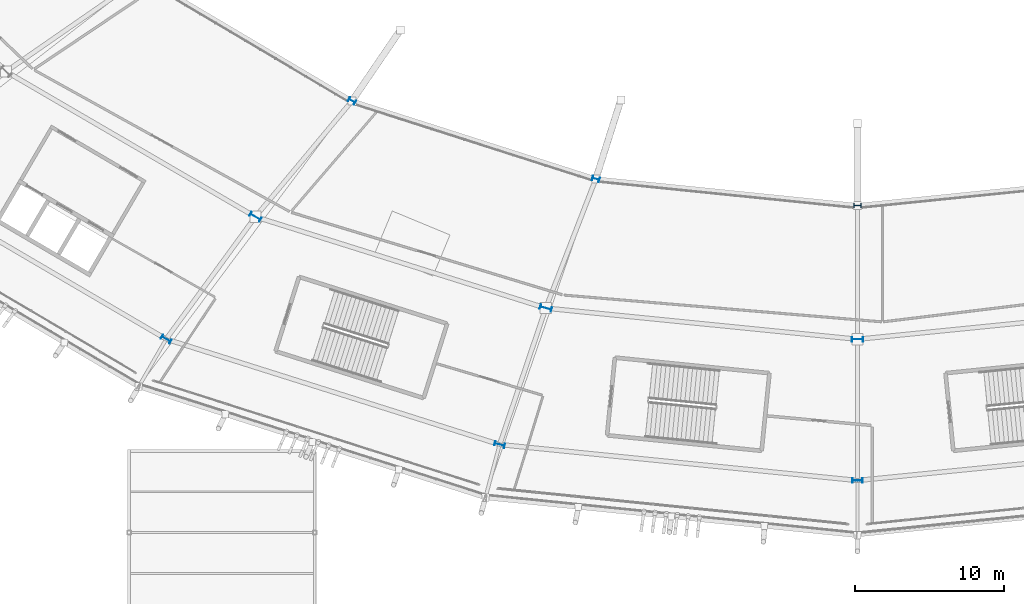
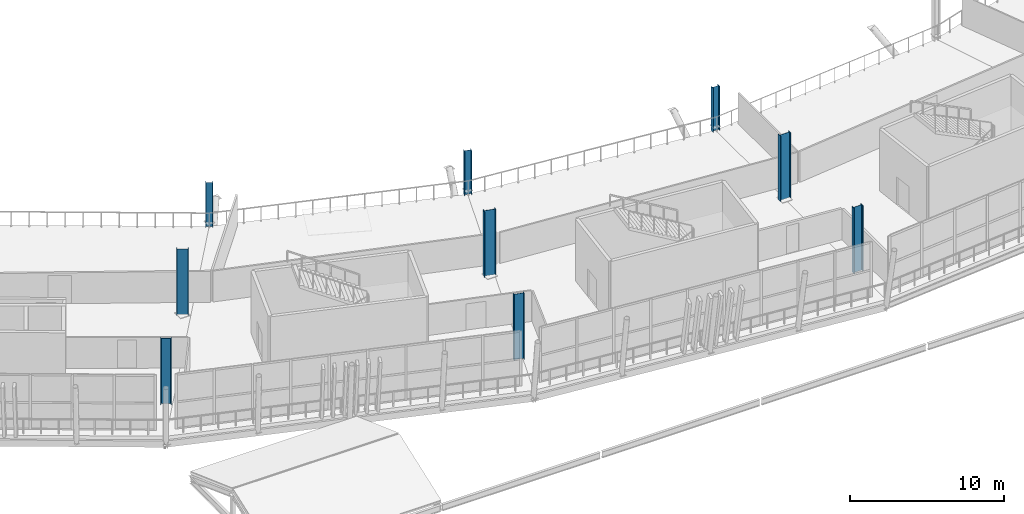
# One storey, part 4 of 168: 9 columns.
"""IFC4 building model written with IfcOpenShell, lengths in metres."""

from ifc_helpers import new_model, si_unit, direction, frame, origin, origin_2d, place, context, subcontext, project, spatial, i_section, extrude, material, material_profile, profile_set, type_object, element, save


model = new_model("IFC4")

# Units and contexts
model_context = context("Model", 3, precision=1e-05, world=origin(), true_north=direction((0.0, 1.0)))
body_context = subcontext(model_context, "Body", "Model", "MODEL_VIEW")
ifc_project = project(units=[si_unit("LENGTHUNIT", "METRE"), si_unit("AREAUNIT", "SQUARE_METRE"), si_unit("VOLUMEUNIT", "CUBIC_METRE"), si_unit("PLANEANGLEUNIT", "RADIAN"), si_unit("MASSUNIT", "GRAM", prefix="KILO")], contexts=[model_context])

# Site, building, storey
site_placement = place(None, origin())
site = spatial("IfcSite", under=ifc_project, at=site_placement, CompositionType="ELEMENT")
building_placement = place(site_placement, origin())
building = spatial("IfcBuilding", under=site, at=building_placement, Name="Zlatoyarsky Gate Stadium", CompositionType="ELEMENT")
storey_placement = place(building_placement, frame((0.0, 0.0, 15.60009765625)))
storey = spatial("IfcBuildingStorey", under=building, at=storey_placement, Name="L03", CompositionType="ELEMENT", Elevation=15.60009765625)

# Columns
ifc_material = material(Name="Steel S355", Category="steel")
ifc_material_profile_1 = material_profile(ifc_material, i_section(OverallWidth=0.300048828125, OverallDepth=0.5, WebThickness=0.014404296875, FlangeThickness=0.028076171875, FilletRadius=0.027099609375, at=origin_2d()), Name="HEB 500")
ifc_profile_set_1 = profile_set([ifc_material_profile_1], Name="Steel S355")
column_type_1 = type_object("IfcColumnType", Name="STEEL COLUMN HEB 500", PredefinedType="COLUMN", material=ifc_profile_set_1)
for number, where, z_axis, x_axis, name in (
    (1, (77.0, 34.53369140625, 0.0), (0.0, 0.0, 1.0), (-0.5, -0.866025403784, 0.0), "Column ST-C500 RA-16 on L03"),
    (2, (93.400390625, 29.288818359375, 0.0), (0.0, 0.0, 1.0), (-0.258819045103, -0.965925826289, 0.0), "Column ST-C500 RA-17 on L03"),
    (3, (111.0, 27.5, 0.0), (0.0, 0.0, 1.0), (0.0, -1.0, 0.0), "Column ST-C500 RA-18 on L03"),
):
    element("IfcColumn", number, at=place(storey_placement, frame(where, z_axis=z_axis, x_axis=x_axis)), inside=storey, type_object=column_type_1, Name=name, PredefinedType="COLUMN", context=body_context, shape_type="SweptSolid", body=[
        extrude(i_section(OverallWidth=0.300048828125, OverallDepth=0.5, WebThickness=0.014404296875, FlangeThickness=0.028076171875, FilletRadius=0.027099609375, at=origin_2d()), origin(), (0.0, 0.0, 1.0), 3.47998046875),
    ])
ifc_material_profile_2 = material_profile(ifc_material, i_section(OverallWidth=0.300048828125, OverallDepth=0.699951171875, WebThickness=0.01708984375, FlangeThickness=0.031982421875, FilletRadius=0.027099609375, at=origin_2d()), Name="HEB 700")
ifc_profile_set_2 = profile_set([ifc_material_profile_2], Name="Steel S355")
column_type_2 = type_object("IfcColumnType", Name="STEEL COLUMN HEB 700", PredefinedType="COLUMN", material=ifc_profile_set_2)
for number, where, z_axis, x_axis, name in (
    (4, (64.5, 18.51220703125, 0.0), (0.0, 0.0, 1.0), (-0.5, -0.866025403784, 0.0), "Column ST-C700 RC-16 on L03"),
    (5, (86.9296875, 11.419189453125, 0.0), (0.0, 0.0, 1.0), (-0.258819045103, -0.965925826289, 0.0), "Column ST-C700 RC-17 on L03"),
    (6, (111.0, 9.0, 0.0), (0.0, 0.0, 1.0), (0.0, -1.0, 0.0), "Column ST-C700 RC-18 on L03"),
):
    element("IfcColumn", number, at=place(storey_placement, frame(where, z_axis=z_axis, x_axis=x_axis)), inside=storey, type_object=column_type_2, Name=name, PredefinedType="COLUMN", context=body_context, shape_type="SweptSolid", body=[
        extrude(i_section(OverallWidth=0.300048828125, OverallDepth=0.699951171875, WebThickness=0.01708984375, FlangeThickness=0.031982421875, FilletRadius=0.027099609375, at=origin_2d()), origin(), (0.0, 0.0, 1.0), 5.199951171875),
    ])
ifc_material_profile_3 = material_profile(ifc_material, i_section(OverallWidth=0.300048828125, OverallDepth=0.800048828125, WebThickness=0.017578125, FlangeThickness=0.032958984375, FilletRadius=0.030029296875, at=origin_2d()), Name="HEB 800")
ifc_profile_set_3 = profile_set([ifc_material_profile_3], Name="Steel S355")
column_type_3 = type_object("IfcColumnType", Name="STEEL COLUMN HEB 800", PredefinedType="COLUMN", material=ifc_profile_set_3)
for number, where, z_axis, x_axis, name in (
    (7, (70.5, 26.739501953125, 0.0), (0.0, 0.0, 1.0), (-0.5, -0.866025403784, 0.0), "Column ST-C800 RB-16 on L03"),
    (8, (90.03564453125, 20.595703125, 0.0), (0.0, 0.0, 1.0), (-0.258819045103, -0.965925826289, 0.0), "Column ST-C800 RB-17 on L03"),
    (9, (111.0, 18.5, 0.0), (0.0, 0.0, 1.0), (0.0, -1.0, 0.0), "Column ST-C800 RB-18 on L03"),
):
    element("IfcColumn", number, at=place(storey_placement, frame(where, z_axis=z_axis, x_axis=x_axis)), inside=storey, type_object=column_type_3, Name=name, PredefinedType="COLUMN", context=body_context, shape_type="SweptSolid", body=[
        extrude(i_section(OverallWidth=0.300048828125, OverallDepth=0.800048828125, WebThickness=0.017578125, FlangeThickness=0.032958984375, FilletRadius=0.030029296875, at=origin_2d()), origin(), (0.0, 0.0, 1.0), 5.199951171875),
    ])

save(model, "model.ifc")
